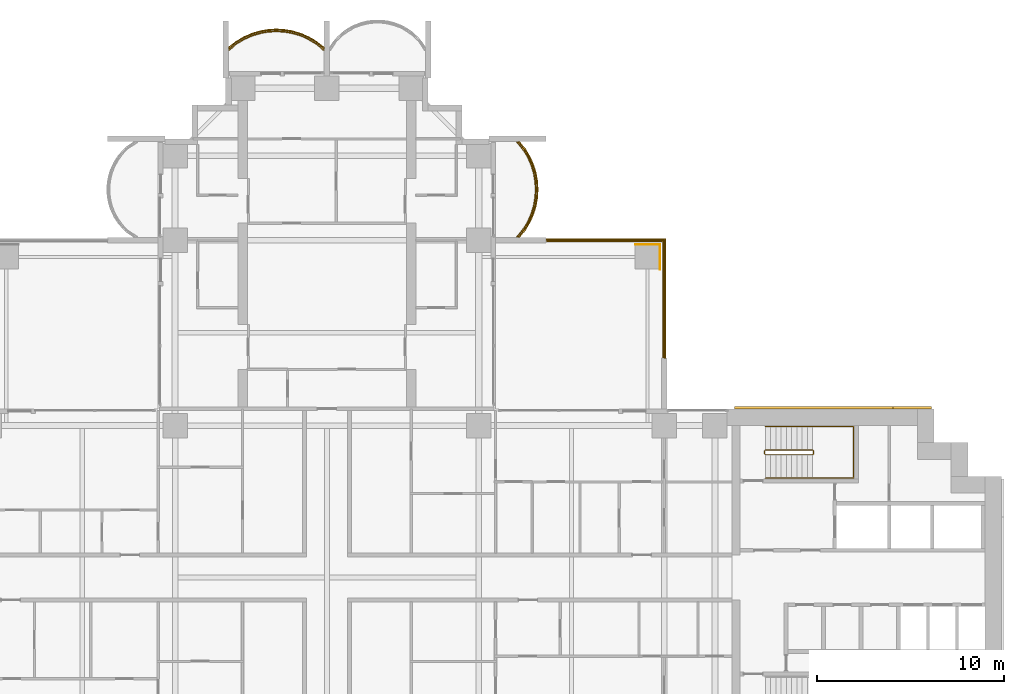
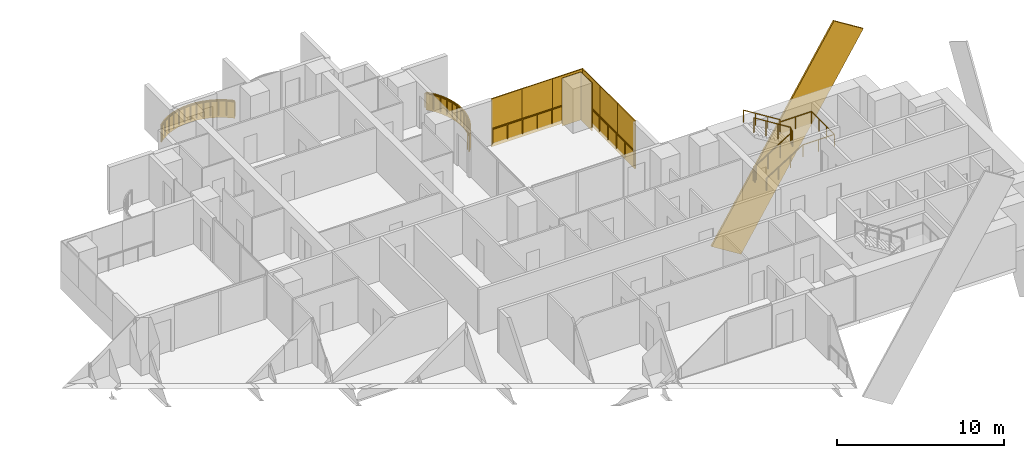
# One storey, part 22 of 23: 12 coverings, 5 railings.
"""IFC4 building model written with IfcOpenShell, lengths in metres."""

from ifc_helpers import new_model, si_unit, direction, frame, origin, origin_2d, place, context, subcontext, project, spatial, polyline, rectangle, outline, extrude, material, layer, layer_set, material_profile, profile_set, type_object, element, save


model = new_model("IFC4")

# Units and contexts
model_context = context("Model", 3, precision=1e-05, world=origin(), true_north=direction((0.0, 1.0)))
body_context = subcontext(model_context, "Body", "Model", "MODEL_VIEW")
ifc_project = project(units=[si_unit("LENGTHUNIT", "METRE"), si_unit("AREAUNIT", "SQUARE_METRE"), si_unit("VOLUMEUNIT", "CUBIC_METRE"), si_unit("PLANEANGLEUNIT", "RADIAN"), si_unit("MASSUNIT", "GRAM", prefix="KILO")], contexts=[model_context])

# Site, building, storey
site_placement = place(None, origin())
site = spatial("IfcSite", under=ifc_project, at=site_placement, CompositionType="ELEMENT")
building_placement = place(site_placement, origin())
building = spatial("IfcBuilding", under=site, at=building_placement, Name="Perihelion Cross Residences", CompositionType="ELEMENT")
storey_placement = place(building_placement, frame((0.0, 0.0, 85.5)))
storey = spatial("IfcBuildingStorey", under=building, at=storey_placement, Name="L19", CompositionType="ELEMENT", Elevation=85.5)

# Coverings
ifc_material_1 = material(Name="Bronze anodised aluminium", Category="aluminium")
ifc_layer_1 = layer(ifc_material_1, 0.070068359375)
ifc_layer_set_1 = layer_set([ifc_layer_1], Name="Balcony fascia 1300")
covering_type_1 = type_object("IfcCoveringType", Name="Balcony fascia 1300", PredefinedType="CLADDING", material=ifc_layer_set_1)
covering_1_placement = place(storey_placement, frame((0.0, 0.0, -0.199951171875)))
element("IfcCovering", 1, at=covering_1_placement, inside=storey, type_object=covering_type_1, Name="Fascia BF1 L19 north side east bay 2", PredefinedType="CLADDING", context=body_context, shape_type="SweptSolid", body=[
    extrude(outline(polyline([(10.59765625, 18.53515625), (10.85498046875, 18.96826171875), (11.04248046875, 19.401123046875), (11.170654296875, 19.833984375), (11.245361328125, 20.26708984375), (11.27001953125, 20.699951171875), (11.245361328125, 21.133056640625), (11.170654296875, 21.56591796875), (11.04248046875, 21.998779296875), (10.85498046875, 22.431884765625), (10.59765625, 22.86474609375), (10.28955078125, 23.25), (10.199951171875, 23.25), (10.5400390625, 22.824951171875), (10.792724609375, 22.39990234375), (10.9765625, 21.97509765625), (11.1025390625, 21.550048828125), (11.17578125, 21.125), (11.199951171875, 20.699951171875), (11.17578125, 20.27490234375), (11.1025390625, 19.85009765625), (10.9765625, 19.425048828125), (10.792724609375, 19.0), (10.5400390625, 18.574951171875), (10.199951171875, 18.14990234375), (10.28955078125, 18.14990234375), (10.59765625, 18.53515625)])), origin(), (0.0, 0.0, 1.0), 1.300048828125),
])
covering_2_placement = place(storey_placement, frame((0.0, 0.0, -0.199951171875)))
element("IfcCovering", 2, at=covering_2_placement, inside=storey, type_object=covering_type_1, Name="Fascia BF1 L19 north tip north bay 2", PredefinedType="CLADDING", context=body_context, shape_type="SweptSolid", body=[
    extrude(outline(polyline([(-0.53515625, 28.59765625), (-0.96826171875, 28.85498046875), (-1.401123046875, 29.04248046875), (-1.833984375, 29.170654296875), (-2.26708984375, 29.245361328125), (-2.699951171875, 29.27001953125), (-3.133056640625, 29.245361328125), (-3.56591796875, 29.170654296875), (-3.998779296875, 29.04248046875), (-4.431884765625, 28.85498046875), (-4.86474609375, 28.59765625), (-5.25, 28.28955078125), (-5.25, 28.199951171875), (-4.824951171875, 28.5400390625), (-4.39990234375, 28.792724609375), (-3.97509765625, 28.9765625), (-3.550048828125, 29.1025390625), (-3.125, 29.17578125), (-2.699951171875, 29.199951171875), (-2.27490234375, 29.17578125), (-1.85009765625, 29.1025390625), (-1.425048828125, 28.9765625), (-1.0, 28.792724609375), (-0.574951171875, 28.5400390625), (-0.14990234375, 28.199951171875), (-0.14990234375, 28.28955078125), (-0.53515625, 28.59765625)])), origin(), (0.0, 0.0, 1.0), 1.300048828125),
])

# Railings
ifc_material_2 = material(Name="Bronze anodised aluminium", Category="aluminium")
railing_type_1 = type_object("IfcRailingType", Name="Balcony guard 1100", PredefinedType="GUARDRAIL", material=ifc_material_2)
railing_1_placement = place(storey_placement, frame((10.139892578125, 18.175048828125, 0.0)))
element("IfcRailing", 3, at=railing_1_placement, inside=storey, type_object=railing_type_1, Name="Guard GU1 L19 north side east bay 2 balcony", PredefinedType="GUARDRAIL", context=body_context, shape_type="SweptSolid", body=[
    extrude(rectangle(XDim=0.048095703125, YDim=0.048095703125, at=origin_2d()), frame((0.0, 0.0, 1.076171875), z_axis=(0.647837396648, 0.761778647315, 0.0), x_axis=(-0.761778647315, 0.647837396648, 0.0)), (0.0, 0.0, 1.0), 0.52490234375),
    extrude(rectangle(XDim=0.048095703125, YDim=0.048095703125, at=origin_2d()), frame((0.340087890625, 0.39990234375, 1.076171875), z_axis=(0.511006381501, 0.859576918062, 0.0), x_axis=(-0.859576918062, 0.511006381501, 0.0)), (0.0, 0.0, 1.0), 0.494384765625),
    extrude(rectangle(XDim=0.048095703125, YDim=0.048095703125, at=origin_2d()), frame((0.5927734375, 0.824951171875, 1.076171875), z_axis=(0.397415137459, 0.917638931453, 0.0), x_axis=(-0.917638931453, 0.397415137459, 0.0)), (0.0, 0.0, 1.0), 0.463134765625),
    extrude(rectangle(XDim=0.048095703125, YDim=0.048095703125, at=origin_2d()), frame((0.77685546875, 1.25, 1.076171875), z_axis=(0.283656975924, 0.958925815697, 0.0), x_axis=(-0.958925815697, 0.283656975924, 0.0)), (0.0, 0.0, 1.0), 0.443359375),
    extrude(rectangle(XDim=0.048095703125, YDim=0.048095703125, at=origin_2d()), frame((0.902587890625, 1.675048828125, 1.076171875), z_axis=(0.170456843651, 0.985365142702, 0.0), x_axis=(-0.985365142702, 0.170456843651, 0.0)), (0.0, 0.0, 1.0), 0.43115234375),
    extrude(rectangle(XDim=0.048095703125, YDim=0.048095703125, at=origin_2d()), frame((0.97607421875, 2.099853515625, 1.076171875), z_axis=(0.056200523353, 0.9984195016, 0.0), x_axis=(-0.9984195016, 0.056200523353, 0.0)), (0.0, 0.0, 1.0), 0.42578125),
    extrude(rectangle(XDim=0.048095703125, YDim=0.048095703125, at=origin_2d()), frame((1.0, 2.52490234375, 1.076171875), z_axis=(-0.056200523353, 0.9984195016, 0.0), x_axis=(-0.9984195016, -0.056200523353, 0.0)), (0.0, 0.0, 1.0), 0.42578125),
    extrude(rectangle(XDim=0.048095703125, YDim=0.048095703125, at=origin_2d()), frame((0.97607421875, 2.949951171875, 1.076171875), z_axis=(-0.17036177859, 0.985381583142, 0.0), x_axis=(-0.985381583142, -0.17036177859, 0.0)), (0.0, 0.0, 1.0), 0.431396484375),
    extrude(rectangle(XDim=0.048095703125, YDim=0.048095703125, at=origin_2d()), frame((0.902587890625, 3.375, 1.076171875), z_axis=(-0.283656975924, 0.958925815697, 0.0), x_axis=(-0.958925815697, -0.283656975924, 0.0)), (0.0, 0.0, 1.0), 0.443359375),
    extrude(rectangle(XDim=0.048095703125, YDim=0.048095703125, at=origin_2d()), frame((0.77685546875, 3.800048828125, 1.076171875), z_axis=(-0.397607437634, 0.91755562531, 0.0), x_axis=(-0.91755562531, -0.397607437634, 0.0)), (0.0, 0.0, 1.0), 0.462890625),
    extrude(rectangle(XDim=0.048095703125, YDim=0.048095703125, at=origin_2d()), frame((0.5927734375, 4.224853515625, 1.076171875), z_axis=(-0.511006381501, 0.859576918062, 0.0), x_axis=(-0.859576918062, -0.511006381501, 0.0)), (0.0, 0.0, 1.0), 0.494384765625),
    extrude(rectangle(XDim=0.048095703125, YDim=0.048095703125, at=origin_2d()), frame((0.340087890625, 4.64990234375, 1.076171875), z_axis=(-0.647607934281, 0.761973728849, 0.0), x_axis=(-0.761973728849, -0.647607934281, 0.0)), (0.0, 0.0, 1.0), 0.525146484375),
    extrude(rectangle(XDim=0.0419921875, YDim=0.0419921875, at=origin_2d()), origin(), (0.0, 0.0, 1.0), 1.052001953125),
    extrude(rectangle(XDim=0.0419921875, YDim=0.0419921875, at=origin_2d()), frame((0.340087890625, 0.39990234375, 0.0)), (0.0, 0.0, 1.0), 1.052001953125),
    extrude(rectangle(XDim=0.0419921875, YDim=0.0419921875, at=origin_2d()), frame((0.5927734375, 0.824951171875, 0.0)), (0.0, 0.0, 1.0), 1.052001953125),
    extrude(rectangle(XDim=0.0419921875, YDim=0.0419921875, at=origin_2d()), frame((0.77685546875, 1.25, 0.0)), (0.0, 0.0, 1.0), 1.052001953125),
    extrude(rectangle(XDim=0.0419921875, YDim=0.0419921875, at=origin_2d()), frame((0.902587890625, 1.675048828125, 0.0)), (0.0, 0.0, 1.0), 1.052001953125),
    extrude(rectangle(XDim=0.0419921875, YDim=0.0419921875, at=origin_2d()), frame((0.97607421875, 2.099853515625, 0.0)), (0.0, 0.0, 1.0), 1.052001953125),
    extrude(rectangle(XDim=0.0419921875, YDim=0.0419921875, at=origin_2d()), frame((1.0, 2.52490234375, 0.0)), (0.0, 0.0, 1.0), 1.052001953125),
    extrude(rectangle(XDim=0.0419921875, YDim=0.0419921875, at=origin_2d()), frame((0.97607421875, 2.949951171875, 0.0)), (0.0, 0.0, 1.0), 1.052001953125),
    extrude(rectangle(XDim=0.0419921875, YDim=0.0419921875, at=origin_2d()), frame((0.902587890625, 3.375, 0.0)), (0.0, 0.0, 1.0), 1.052001953125),
    extrude(rectangle(XDim=0.0419921875, YDim=0.0419921875, at=origin_2d()), frame((0.77685546875, 3.800048828125, 0.0)), (0.0, 0.0, 1.0), 1.052001953125),
    extrude(rectangle(XDim=0.0419921875, YDim=0.0419921875, at=origin_2d()), frame((0.5927734375, 4.224853515625, 0.0)), (0.0, 0.0, 1.0), 1.052001953125),
    extrude(rectangle(XDim=0.0419921875, YDim=0.0419921875, at=origin_2d()), frame((0.340087890625, 4.64990234375, 0.0)), (0.0, 0.0, 1.0), 1.052001953125),
    extrude(rectangle(XDim=0.0419921875, YDim=0.0419921875, at=origin_2d()), frame((0.0, 5.050048828125, 0.0)), (0.0, 0.0, 1.0), 1.052001953125),
])
railing_2_placement = place(storey_placement, frame((-0.175048828125, 28.139892578125, 0.0)))
element("IfcRailing", 4, at=railing_2_placement, inside=storey, type_object=railing_type_1, Name="Guard GU1 L19 north tip north bay 2 balcony", PredefinedType="GUARDRAIL", context=body_context, shape_type="SweptSolid", body=[
    extrude(rectangle(XDim=0.048095703125, YDim=0.048095703125, at=origin_2d()), frame((0.0, 0.0, 1.076171875), z_axis=(-0.761778647315, 0.647837396648, 0.0), x_axis=(-0.647837396648, -0.761778647315, 0.0)), (0.0, 0.0, 1.0), 0.52490234375),
    extrude(rectangle(XDim=0.048095703125, YDim=0.048095703125, at=origin_2d()), frame((-0.39990234375, 0.340087890625, 1.076171875), z_axis=(-0.859576918062, 0.511006381501, 0.0), x_axis=(-0.511006381501, -0.859576918062, 0.0)), (0.0, 0.0, 1.0), 0.494384765625),
    extrude(rectangle(XDim=0.048095703125, YDim=0.048095703125, at=origin_2d()), frame((-0.824951171875, 0.5927734375, 1.076171875), z_axis=(-0.917638931453, 0.397415137459, 0.0), x_axis=(-0.397415137459, -0.917638931453, 0.0)), (0.0, 0.0, 1.0), 0.463134765625),
    extrude(rectangle(XDim=0.048095703125, YDim=0.048095703125, at=origin_2d()), frame((-1.25, 0.77685546875, 1.076171875), z_axis=(-0.958925815697, 0.283656975924, 0.0), x_axis=(-0.283656975924, -0.958925815697, 0.0)), (0.0, 0.0, 1.0), 0.443359375),
    extrude(rectangle(XDim=0.048095703125, YDim=0.048095703125, at=origin_2d()), frame((-1.675048828125, 0.902587890625, 1.076171875), z_axis=(-0.985365142702, 0.170456843651, 0.0), x_axis=(-0.170456843651, -0.985365142702, 0.0)), (0.0, 0.0, 1.0), 0.43115234375),
    extrude(rectangle(XDim=0.048095703125, YDim=0.048095703125, at=origin_2d()), frame((-2.099853515625, 0.97607421875, 1.076171875), z_axis=(-0.9984195016, 0.056200523353, 0.0), x_axis=(-0.056200523353, -0.9984195016, 0.0)), (0.0, 0.0, 1.0), 0.42578125),
    extrude(rectangle(XDim=0.048095703125, YDim=0.048095703125, at=origin_2d()), frame((-2.52490234375, 1.0, 1.076171875), z_axis=(-0.9984195016, -0.056200523353, 0.0), x_axis=(0.056200523353, -0.9984195016, 0.0)), (0.0, 0.0, 1.0), 0.42578125),
    extrude(rectangle(XDim=0.048095703125, YDim=0.048095703125, at=origin_2d()), frame((-2.949951171875, 0.97607421875, 1.076171875), z_axis=(-0.985381583142, -0.17036177859, 0.0), x_axis=(0.17036177859, -0.985381583142, 0.0)), (0.0, 0.0, 1.0), 0.431396484375),
    extrude(rectangle(XDim=0.048095703125, YDim=0.048095703125, at=origin_2d()), frame((-3.375, 0.902587890625, 1.076171875), z_axis=(-0.958925815697, -0.283656975924, 0.0), x_axis=(0.283656975924, -0.958925815697, 0.0)), (0.0, 0.0, 1.0), 0.443359375),
    extrude(rectangle(XDim=0.048095703125, YDim=0.048095703125, at=origin_2d()), frame((-3.800048828125, 0.77685546875, 1.076171875), z_axis=(-0.91755562531, -0.397607437634, 0.0), x_axis=(0.397607437634, -0.91755562531, 0.0)), (0.0, 0.0, 1.0), 0.462890625),
    extrude(rectangle(XDim=0.048095703125, YDim=0.048095703125, at=origin_2d()), frame((-4.224853515625, 0.5927734375, 1.076171875), z_axis=(-0.859576918062, -0.511006381501, 0.0), x_axis=(0.511006381501, -0.859576918062, 0.0)), (0.0, 0.0, 1.0), 0.494384765625),
    extrude(rectangle(XDim=0.048095703125, YDim=0.048095703125, at=origin_2d()), frame((-4.64990234375, 0.340087890625, 1.076171875), z_axis=(-0.761973728849, -0.647607934281, 0.0), x_axis=(0.647607934281, -0.761973728849, 0.0)), (0.0, 0.0, 1.0), 0.525146484375),
    extrude(rectangle(XDim=0.0419921875, YDim=0.0419921875, at=origin_2d()), origin(), (0.0, 0.0, 1.0), 1.052001953125),
    extrude(rectangle(XDim=0.0419921875, YDim=0.0419921875, at=origin_2d()), frame((-0.39990234375, 0.340087890625, 0.0)), (0.0, 0.0, 1.0), 1.052001953125),
    extrude(rectangle(XDim=0.0419921875, YDim=0.0419921875, at=origin_2d()), frame((-0.824951171875, 0.5927734375, 0.0)), (0.0, 0.0, 1.0), 1.052001953125),
    extrude(rectangle(XDim=0.0419921875, YDim=0.0419921875, at=origin_2d()), frame((-1.25, 0.77685546875, 0.0)), (0.0, 0.0, 1.0), 1.052001953125),
    extrude(rectangle(XDim=0.0419921875, YDim=0.0419921875, at=origin_2d()), frame((-1.675048828125, 0.902587890625, 0.0)), (0.0, 0.0, 1.0), 1.052001953125),
    extrude(rectangle(XDim=0.0419921875, YDim=0.0419921875, at=origin_2d()), frame((-2.099853515625, 0.97607421875, 0.0)), (0.0, 0.0, 1.0), 1.052001953125),
    extrude(rectangle(XDim=0.0419921875, YDim=0.0419921875, at=origin_2d()), frame((-2.52490234375, 1.0, 0.0)), (0.0, 0.0, 1.0), 1.052001953125),
    extrude(rectangle(XDim=0.0419921875, YDim=0.0419921875, at=origin_2d()), frame((-2.949951171875, 0.97607421875, 0.0)), (0.0, 0.0, 1.0), 1.052001953125),
    extrude(rectangle(XDim=0.0419921875, YDim=0.0419921875, at=origin_2d()), frame((-3.375, 0.902587890625, 0.0)), (0.0, 0.0, 1.0), 1.052001953125),
    extrude(rectangle(XDim=0.0419921875, YDim=0.0419921875, at=origin_2d()), frame((-3.800048828125, 0.77685546875, 0.0)), (0.0, 0.0, 1.0), 1.052001953125),
    extrude(rectangle(XDim=0.0419921875, YDim=0.0419921875, at=origin_2d()), frame((-4.224853515625, 0.5927734375, 0.0)), (0.0, 0.0, 1.0), 1.052001953125),
    extrude(rectangle(XDim=0.0419921875, YDim=0.0419921875, at=origin_2d()), frame((-4.64990234375, 0.340087890625, 0.0)), (0.0, 0.0, 1.0), 1.052001953125),
    extrude(rectangle(XDim=0.0419921875, YDim=0.0419921875, at=origin_2d()), frame((-5.050048828125, 0.0, 0.0)), (0.0, 0.0, 1.0), 1.052001953125),
])
railing_3_placement = place(storey_placement, frame((11.739990234375, 17.93994140625, 0.0)))
element("IfcRailing", 5, at=railing_3_placement, inside=storey, type_object=railing_type_1, Name="Guard GU1 L19 pocket north-east 1", PredefinedType="GUARDRAIL", context=body_context, shape_type="SweptSolid", body=[
    extrude(rectangle(XDim=0.048095703125, YDim=0.048095703125, at=origin_2d()), frame((0.0, 0.0, 1.076171875), z_axis=(1.0, 0.0, 0.0), x_axis=(0.0, 1.0, 0.0)), (0.0, 0.0, 1.0), 6.199951171875),
    extrude(rectangle(XDim=0.048095703125, YDim=0.048095703125, at=origin_2d()), frame((6.199951171875, 0.0, 1.076171875), z_axis=(0.0, -1.0, 0.0), x_axis=(1.0, 0.0, 0.0)), (0.0, 0.0, 1.0), 6.199951171875),
    extrude(rectangle(XDim=0.0419921875, YDim=0.0419921875, at=origin_2d()), origin(), (0.0, 0.0, 1.0), 1.052001953125),
    extrude(rectangle(XDim=0.0419921875, YDim=0.0419921875, at=origin_2d()), frame((1.033203125, 0.0, 0.0)), (0.0, 0.0, 1.0), 1.052001953125),
    extrude(rectangle(XDim=0.0419921875, YDim=0.0419921875, at=origin_2d()), frame((2.066650390625, 0.0, 0.0)), (0.0, 0.0, 1.0), 1.052001953125),
    extrude(rectangle(XDim=0.0419921875, YDim=0.0419921875, at=origin_2d()), frame((3.10009765625, 0.0, 0.0)), (0.0, 0.0, 1.0), 1.052001953125),
    extrude(rectangle(XDim=0.0419921875, YDim=0.0419921875, at=origin_2d()), frame((4.13330078125, 0.0, 0.0)), (0.0, 0.0, 1.0), 1.052001953125),
    extrude(rectangle(XDim=0.0419921875, YDim=0.0419921875, at=origin_2d()), frame((5.16650390625, 0.0, 0.0)), (0.0, 0.0, 1.0), 1.052001953125),
    extrude(rectangle(XDim=0.0419921875, YDim=0.0419921875, at=origin_2d()), frame((6.199951171875, 0.0, 0.0)), (0.0, 0.0, 1.0), 1.052001953125),
    extrude(rectangle(XDim=0.0419921875, YDim=0.0419921875, at=origin_2d()), frame((6.199951171875, -1.033203125, 0.0)), (0.0, 0.0, 1.0), 1.052001953125),
    extrude(rectangle(XDim=0.0419921875, YDim=0.0419921875, at=origin_2d()), frame((6.199951171875, -2.066650390625, 0.0)), (0.0, 0.0, 1.0), 1.052001953125),
    extrude(rectangle(XDim=0.0419921875, YDim=0.0419921875, at=origin_2d()), frame((6.199951171875, -3.10009765625, 0.0)), (0.0, 0.0, 1.0), 1.052001953125),
    extrude(rectangle(XDim=0.0419921875, YDim=0.0419921875, at=origin_2d()), frame((6.199951171875, -4.13330078125, 0.0)), (0.0, 0.0, 1.0), 1.052001953125),
    extrude(rectangle(XDim=0.0419921875, YDim=0.0419921875, at=origin_2d()), frame((6.199951171875, -5.16650390625, 0.0)), (0.0, 0.0, 1.0), 1.052001953125),
    extrude(rectangle(XDim=0.0419921875, YDim=0.0419921875, at=origin_2d()), frame((6.199951171875, -6.199951171875, 0.0)), (0.0, 0.0, 1.0), 1.052001953125),
])

# Coverings
ifc_material_3 = material(Name="Bronze anodised aluminium", Category="aluminium")
ifc_material_profile = material_profile(ifc_material_3, rectangle(XDim=0.125, YDim=2.39990234375, at=origin_2d()), Name="Bronze cladding band 2400")
ifc_profile_set = profile_set([ifc_material_profile], Name="Bronze anodised aluminium")
covering_type_2 = type_object("IfcCoveringType", Name="Bronze cladding band 2400", PredefinedType="CLADDING", material=ifc_profile_set)
covering_3_placement = place(storey_placement, frame((22.767578125, 9.0625, -6.24755859375), z_axis=(0.529924750763, 0.0, 0.848044667767), x_axis=(0.0, 1.0, 0.0)))
element("IfcCovering", 6, at=covering_3_placement, inside=storey, type_object=covering_type_2, Name="Core cladding band, east core", PredefinedType="CLADDING", context=body_context, shape_type="SweptSolid", body=[
    extrude(rectangle(XDim=0.125, YDim=2.39990234375, at=origin_2d()), origin(), (0.0, 0.0, 1.0), 15.9736328125),
])
ifc_material_4 = material(Name="Bronze anodised aluminium", Category="aluminium")
ifc_layer_2 = layer(ifc_material_4, 0.0400390625)
ifc_layer_set_2 = layer_set([ifc_layer_2], Name="Bronze column casing 40")
covering_type_3 = type_object("IfcCoveringType", Name="Bronze column casing 40", PredefinedType="CLADDING", material=ifc_layer_set_2)
covering_4_placement = place(storey_placement, frame((17.77001953125, 17.10009765625, -0.25), z_axis=(0.0, 0.0, 1.0), x_axis=(1.0, 0.0, 0.0)))
element("IfcCovering", 7, at=covering_4_placement, inside=storey, type_object=covering_type_3, Name="Cladding CC1 L19 casing east-west no. 4", PredefinedType="CLADDING", context=body_context, shape_type="SweptSolid", body=[
    extrude(rectangle(XDim=0.0400390625, YDim=1.3798828125, at=origin_2d()), origin(), (0.0, 0.0, 1.0), 3.5),
])
covering_5_placement = place(storey_placement, frame((17.10009765625, 17.77001953125, -0.25), z_axis=(0.0, 0.0, 1.0), x_axis=(1.0, 0.0, 0.0)))
element("IfcCovering", 8, at=covering_5_placement, inside=storey, type_object=covering_type_3, Name="Cladding CC1 L19 casing north-south no. 4", PredefinedType="CLADDING", context=body_context, shape_type="SweptSolid", body=[
    extrude(rectangle(XDim=1.300048828125, YDim=0.0400390625, at=origin_2d()), origin(), (0.0, 0.0, 1.0), 3.5),
])
ifc_material_5 = material(Name="Bronze anodised aluminium", Category="aluminium")
ifc_layer_3 = layer(ifc_material_5, 0.070068359375)
ifc_layer_set_3 = layer_set([ifc_layer_3], Name="Pocket fascia 1350")
covering_type_4 = type_object("IfcCoveringType", Name="Pocket fascia 1350", PredefinedType="CLADDING", material=ifc_layer_set_3)
covering_6_placement = place(storey_placement, frame((0.0, 0.0, -0.25)))
element("IfcCovering", 9, at=covering_6_placement, inside=storey, type_object=covering_type_4, Name="Fascia BF2 L19 pocket north-east 3", PredefinedType="CLADDING", context=body_context, shape_type="SweptSolid", body=[
    extrude(outline(polyline([(18.070068359375, 18.070068359375), (11.699951171875, 18.070068359375), (11.699951171875, 18.0), (18.0, 18.0), (18.0, 11.699951171875), (18.070068359375, 11.699951171875), (18.070068359375, 18.070068359375)])), origin(), (0.0, 0.0, 1.0), 1.35009765625),
])
ifc_material_6 = material(Name="Bronze perforated aluminium", Category="aluminium")
ifc_layer_4 = layer(ifc_material_6, 0.070068359375)
ifc_layer_set_4 = layer_set([ifc_layer_4], Name="Pocket solar screen, bronze perforated")
covering_type_5 = type_object("IfcCoveringType", Name="Pocket solar screen, bronze perforated", PredefinedType="CLADDING", material=ifc_layer_set_4)
covering_7_placement = place(storey_placement, frame((0.0, 0.0, 1.10009765625)))
element("IfcCovering", 10, at=covering_7_placement, inside=storey, type_object=covering_type_5, Name="Solar screen PS1 L19 pocket north-east no. 1", PredefinedType="CLADDING", context=body_context, shape_type="SweptSolid", body=[
    extrude(outline(polyline([(18.070068359375, 11.699951171875), (18.070068359375, 13.800048828125), (18.0, 13.800048828125), (18.0, 11.699951171875), (18.070068359375, 11.699951171875)])), origin(), (0.0, 0.0, 1.0), 2.14990234375),
])
covering_8_placement = place(storey_placement, frame((0.0, 0.0, 1.10009765625)))
element("IfcCovering", 11, at=covering_8_placement, inside=storey, type_object=covering_type_5, Name="Solar screen PS1 L19 pocket north-east no. 2", PredefinedType="CLADDING", context=body_context, shape_type="SweptSolid", body=[
    extrude(outline(polyline([(18.070068359375, 13.800048828125), (18.070068359375, 15.89990234375), (18.0, 15.89990234375), (18.0, 13.800048828125), (18.070068359375, 13.800048828125)])), origin(), (0.0, 0.0, 1.0), 2.14990234375),
])
covering_9_placement = place(storey_placement, frame((0.0, 0.0, 1.10009765625)))
element("IfcCovering", 12, at=covering_9_placement, inside=storey, type_object=covering_type_5, Name="Solar screen PS1 L19 pocket north-east no. 3", PredefinedType="CLADDING", context=body_context, shape_type="SweptSolid", body=[
    extrude(outline(polyline([(18.070068359375, 15.89990234375), (18.070068359375, 18.0), (18.0, 18.0), (18.0, 15.89990234375), (18.070068359375, 15.89990234375)])), origin(), (0.0, 0.0, 1.0), 2.14990234375),
])
covering_10_placement = place(storey_placement, frame((0.0, 0.0, 1.10009765625)))
element("IfcCovering", 13, at=covering_10_placement, inside=storey, type_object=covering_type_5, Name="Solar screen PS1 L19 pocket north-east no. 4", PredefinedType="CLADDING", context=body_context, shape_type="SweptSolid", body=[
    extrude(outline(polyline([(13.8232421875, 18.0), (13.8232421875, 18.070068359375), (11.699951171875, 18.070068359375), (11.699951171875, 18.0), (13.8232421875, 18.0)])), origin(), (0.0, 0.0, 1.0), 2.14990234375),
])
covering_11_placement = place(storey_placement, frame((0.0, 0.0, 1.10009765625)))
element("IfcCovering", 14, at=covering_11_placement, inside=storey, type_object=covering_type_5, Name="Solar screen PS1 L19 pocket north-east no. 5", PredefinedType="CLADDING", context=body_context, shape_type="SweptSolid", body=[
    extrude(outline(polyline([(15.94677734375, 18.0), (15.94677734375, 18.070068359375), (13.8232421875, 18.070068359375), (13.8232421875, 18.0), (15.94677734375, 18.0)])), origin(), (0.0, 0.0, 1.0), 2.14990234375),
])
covering_12_placement = place(storey_placement, frame((0.0, 0.0, 1.10009765625)))
element("IfcCovering", 15, at=covering_12_placement, inside=storey, type_object=covering_type_5, Name="Solar screen PS1 L19 pocket north-east no. 6", PredefinedType="CLADDING", context=body_context, shape_type="SweptSolid", body=[
    extrude(outline(polyline([(18.070068359375, 18.0), (18.070068359375, 18.070068359375), (15.94677734375, 18.070068359375), (15.94677734375, 18.0), (18.070068359375, 18.0)])), origin(), (0.0, 0.0, 1.0), 2.14990234375),
])

# Railings
ifc_material_7 = material(Name="Stainless steel", Category="steel")
railing_type_2 = type_object("IfcRailingType", Name="Stair guard 1100", PredefinedType="GUARDRAIL", material=ifc_material_7)
railing_4_placement = place(storey_placement, frame((23.35009765625, 6.75, 0.0)))
element("IfcRailing", 16, at=railing_4_placement, inside=storey, type_object=railing_type_2, Name="L19 ST-E1 stair guard 1", PredefinedType="GUARDRAIL", context=body_context, shape_type="SweptSolid", body=[
    extrude(rectangle(XDim=0.048095703125, YDim=0.048095703125, at=origin_2d()), frame((0.0, 0.0, 1.076171875), z_axis=(0.0, -1.0, 0.0), x_axis=(1.0, 0.0, 0.0)), (0.0, 0.0, 1.0), 0.14990234375),
    extrude(rectangle(XDim=0.048095703125, YDim=0.048095703125, at=origin_2d()), frame((0.0, -0.14990234375, 1.076171875), z_axis=(0.263862480399, -0.265155923931, 0.927399011991), x_axis=(0.708833529934, 0.705375805398, 0.0)), (0.0, 0.0, 1.0), 0.188720703125),
    extrude(rectangle(XDim=0.048095703125, YDim=0.048095703125, at=origin_2d()), frame((0.0498046875, -0.199951171875, 1.2509765625), z_axis=(0.848007534815, 0.0, 0.529984170421), x_axis=(0.0, 1.0, 0.0)), (0.0, 0.0, 1.0), 2.9716796875),
    extrude(rectangle(XDim=0.048095703125, YDim=0.048095703125, at=origin_2d()), frame((2.56982421875, -0.199951171875, 2.826171875), z_axis=(0.707106781187, 0.707106781187, 0.0), x_axis=(-0.707106781187, 0.707106781187, 0.0)), (0.0, 0.0, 1.0), 0.07080078125),
    extrude(rectangle(XDim=0.048095703125, YDim=0.048095703125, at=origin_2d()), frame((2.619873046875, -0.14990234375, 2.826171875), z_axis=(0.0, 1.0, 0.0), x_axis=(-1.0, 0.0, 0.0)), (0.0, 0.0, 1.0), 0.14990234375),
    extrude(rectangle(XDim=0.048095703125, YDim=0.048095703125, at=origin_2d()), frame((2.619873046875, 0.0, 2.826171875), z_axis=(-0.265065253269, 0.265065253269, 0.927081885822), x_axis=(-0.707106781187, -0.707106781187, 0.0)), (0.0, 0.0, 1.0), 0.188720703125),
    extrude(rectangle(XDim=0.048095703125, YDim=0.048095703125, at=origin_2d()), frame((2.56982421875, 0.050048828125, 3.0009765625), z_axis=(-0.848007534815, 0.0, 0.529984170421), x_axis=(0.0, -1.0, 0.0)), (0.0, 0.0, 1.0), 2.9716796875),
    extrude(rectangle(XDim=0.0419921875, YDim=0.0419921875, at=origin_2d()), origin(), (0.0, 0.0, 1.0), 1.052001953125),
    extrude(rectangle(XDim=0.0419921875, YDim=0.0419921875, at=origin_2d()), frame((0.0, -0.14990234375, 0.0)), (0.0, 0.0, 1.0), 1.052001953125),
    extrude(rectangle(XDim=0.0419921875, YDim=0.0419921875, at=origin_2d()), frame((0.0498046875, -0.199951171875, 0.175048828125)), (0.0, 0.0, 1.0), 1.052001953125),
    extrude(rectangle(XDim=0.0419921875, YDim=0.0419921875, at=origin_2d()), frame((0.889892578125, -0.199951171875, 0.699951171875)), (0.0, 0.0, 1.0), 1.052001953125),
    extrude(rectangle(XDim=0.0419921875, YDim=0.0419921875, at=origin_2d()), frame((1.729736328125, -0.199951171875, 1.22509765625)), (0.0, 0.0, 1.0), 1.052001953125),
    extrude(rectangle(XDim=0.0419921875, YDim=0.0419921875, at=origin_2d()), frame((2.56982421875, -0.199951171875, 1.75)), (0.0, 0.0, 1.0), 1.052001953125),
    extrude(rectangle(XDim=0.0419921875, YDim=0.0419921875, at=origin_2d()), frame((2.619873046875, -0.14990234375, 1.75)), (0.0, 0.0, 1.0), 1.052001953125),
    extrude(rectangle(XDim=0.0419921875, YDim=0.0419921875, at=origin_2d()), frame((2.619873046875, 0.0, 1.75)), (0.0, 0.0, 1.0), 1.052001953125),
    extrude(rectangle(XDim=0.0419921875, YDim=0.0419921875, at=origin_2d()), frame((2.56982421875, 0.050048828125, 1.925048828125)), (0.0, 0.0, 1.0), 1.052001953125),
    extrude(rectangle(XDim=0.0419921875, YDim=0.0419921875, at=origin_2d()), frame((1.729736328125, 0.050048828125, 2.449951171875)), (0.0, 0.0, 1.0), 1.052001953125),
    extrude(rectangle(XDim=0.0419921875, YDim=0.0419921875, at=origin_2d()), frame((0.889892578125, 0.050048828125, 2.97509765625)), (0.0, 0.0, 1.0), 1.052001953125),
    extrude(rectangle(XDim=0.0419921875, YDim=0.0419921875, at=origin_2d()), frame((0.0498046875, 0.050048828125, 3.5)), (0.0, 0.0, 1.0), 1.052001953125),
])
ifc_material_8 = material(Name="Stainless steel", Category="steel")
railing_type_3 = type_object("IfcRailingType", Name="Stair handrail 900", PredefinedType="HANDRAIL", material=ifc_material_8)
railing_5_placement = place(storey_placement, frame((23.39990234375, 5.300048828125, 0.175048828125)))
element("IfcRailing", 17, at=railing_5_placement, inside=storey, type_object=railing_type_3, Name="L19 ST-E1 stair handrail 1", PredefinedType="HANDRAIL", context=body_context, shape_type="SweptSolid", body=[
    extrude(rectangle(XDim=0.048095703125, YDim=0.048095703125, at=origin_2d()), frame((0.0, 0.0, 0.8759765625), z_axis=(0.848007534815, 0.0, 0.529984170421), x_axis=(0.0, 1.0, 0.0)), (0.0, 0.0, 1.0), 2.9716796875),
    extrude(rectangle(XDim=0.048095703125, YDim=0.048095703125, at=origin_2d()), frame((2.52001953125, 0.0, 2.45068359375), z_axis=(1.0, 0.0, 0.0), x_axis=(0.0, 1.0, 0.0)), (0.0, 0.0, 1.0), 2.18017578125),
    extrude(rectangle(XDim=0.048095703125, YDim=0.048095703125, at=origin_2d()), frame((4.7001953125, 0.0, 2.45068359375), z_axis=(0.0, 1.0, 0.0), x_axis=(-1.0, 0.0, 0.0)), (0.0, 0.0, 1.0), 2.75),
    extrude(rectangle(XDim=0.048095703125, YDim=0.048095703125, at=origin_2d()), frame((4.7001953125, 2.75, 2.45068359375), z_axis=(-1.0, 0.0, 0.0), x_axis=(0.0, -1.0, 0.0)), (0.0, 0.0, 1.0), 2.18017578125),
    extrude(rectangle(XDim=0.048095703125, YDim=0.048095703125, at=origin_2d()), frame((2.52001953125, 2.75, 2.45068359375), z_axis=(0.0, 0.0, 1.0), x_axis=(1.0, 0.0, 0.0)), (0.0, 0.0, 1.0), 0.175048828125),
    extrude(rectangle(XDim=0.048095703125, YDim=0.048095703125, at=origin_2d()), frame((2.52001953125, 2.75, 2.6259765625), z_axis=(-0.848007534815, 0.0, 0.529984170421), x_axis=(0.0, -1.0, 0.0)), (0.0, 0.0, 1.0), 2.9716796875),
    extrude(rectangle(XDim=0.0419921875, YDim=0.0419921875, at=origin_2d()), origin(), (0.0, 0.0, 1.0), 0.851806640625),
    extrude(rectangle(XDim=0.0419921875, YDim=0.0419921875, at=origin_2d()), frame((0.840087890625, 0.0, 0.52490234375)), (0.0, 0.0, 1.0), 0.851806640625),
    extrude(rectangle(XDim=0.0419921875, YDim=0.0419921875, at=origin_2d()), frame((1.679931640625, 0.0, 1.050048828125)), (0.0, 0.0, 1.0), 0.851806640625),
    extrude(rectangle(XDim=0.0419921875, YDim=0.0419921875, at=origin_2d()), frame((2.52001953125, 0.0, 1.574951171875)), (0.0, 0.0, 1.0), 0.851806640625),
    extrude(rectangle(XDim=0.0419921875, YDim=0.0419921875, at=origin_2d()), frame((3.610107421875, 0.0, 1.574951171875)), (0.0, 0.0, 1.0), 0.851806640625),
    extrude(rectangle(XDim=0.0419921875, YDim=0.0419921875, at=origin_2d()), frame((4.7001953125, 0.0, 1.574951171875)), (0.0, 0.0, 1.0), 0.851806640625),
    extrude(rectangle(XDim=0.0419921875, YDim=0.0419921875, at=origin_2d()), frame((4.7001953125, 0.916748046875, 1.574951171875)), (0.0, 0.0, 1.0), 0.851806640625),
    extrude(rectangle(XDim=0.0419921875, YDim=0.0419921875, at=origin_2d()), frame((4.7001953125, 1.833251953125, 1.574951171875)), (0.0, 0.0, 1.0), 0.851806640625),
    extrude(rectangle(XDim=0.0419921875, YDim=0.0419921875, at=origin_2d()), frame((4.7001953125, 2.75, 1.574951171875)), (0.0, 0.0, 1.0), 0.851806640625),
    extrude(rectangle(XDim=0.0419921875, YDim=0.0419921875, at=origin_2d()), frame((3.610107421875, 2.75, 1.574951171875)), (0.0, 0.0, 1.0), 0.851806640625),
    extrude(rectangle(XDim=0.0419921875, YDim=0.0419921875, at=origin_2d()), frame((2.52001953125, 2.75, 1.574951171875)), (0.0, 0.0, 1.0), 0.851806640625),
    extrude(rectangle(XDim=0.0419921875, YDim=0.0419921875, at=origin_2d()), frame((2.52001953125, 2.75, 1.75)), (0.0, 0.0, 1.0), 0.851806640625),
    extrude(rectangle(XDim=0.0419921875, YDim=0.0419921875, at=origin_2d()), frame((1.679931640625, 2.75, 2.27490234375)), (0.0, 0.0, 1.0), 0.851806640625),
    extrude(rectangle(XDim=0.0419921875, YDim=0.0419921875, at=origin_2d()), frame((0.840087890625, 2.75, 2.800048828125)), (0.0, 0.0, 1.0), 0.851806640625),
    extrude(rectangle(XDim=0.0419921875, YDim=0.0419921875, at=origin_2d()), frame((0.0, 2.75, 3.324951171875)), (0.0, 0.0, 1.0), 0.851806640625),
])

save(model, "model.ifc")
